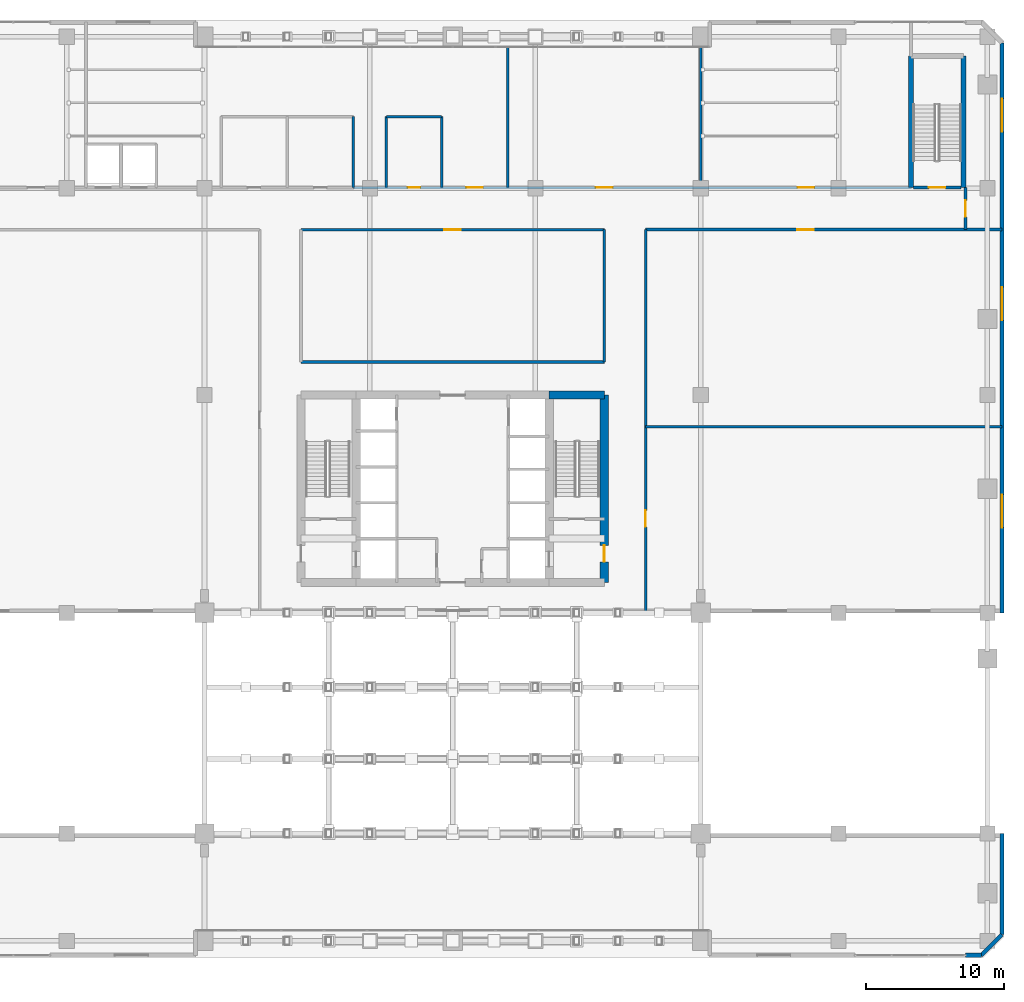
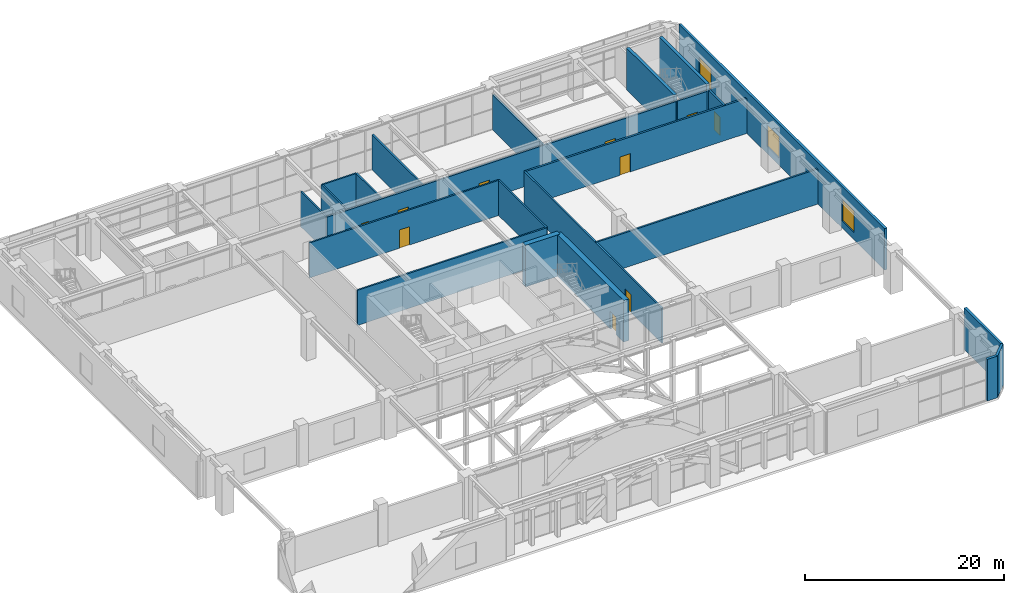
# One storey, part 28 of 32: 23 walls, 10 doors, 3 windows, 13 openings.
"""IFC4 building model written with IfcOpenShell, lengths in metres."""

import ifcopenshell
import ifcopenshell.guid

model = None  # the IFC model being written
_history = None  # IfcOwnerHistory: only IFC2X3 demands one
_inside = {}  # id of a spatial element -> (the spatial element, [elements in it])
_under = {}  # id of a project, library or spatial element -> (it, [spatial elements below it])
_declared = {}  # id of a project -> (the project, [libraries it declares])
_typed = {}  # id of a type object -> (the type object, [elements of that type])
_made_of = {}  # id of a material, layer set ... -> (it, [elements and type objects made of it])


def new_model(schema):
    """Start an empty IFC model of exactly this schema.

    Asked for "IFC4X3", IfcOpenShell would pick the latest addendum, in which some entities
    have other attributes; the version numbers below select the first issue.
    IFC2X3 requires an IfcOwnerHistory on every rooted entity: one is made here for all.
    """
    global model, _history
    if schema == "IFC4X3":
        model = ifcopenshell.file(schema_version=(4, 3, 0, 0))
    else:
        model = ifcopenshell.file(schema=schema)
    _inside.clear()
    _under.clear()
    _declared.clear()
    _typed.clear()
    _made_of.clear()
    _history = None
    if model.schema == "IFC2X3":
        org = make("IfcOrganization", Name="unknown")
        user = make(
            "IfcPersonAndOrganization",
            ThePerson=make("IfcPerson", FamilyName="unknown"),
            TheOrganization=org,
        )
        app = make(
            "IfcApplication",
            ApplicationDeveloper=org,
            Version="unknown",
            ApplicationFullName="unknown",
            ApplicationIdentifier="unknown",
        )
        _history = make(
            "IfcOwnerHistory",
            OwningUser=user,
            OwningApplication=app,
            ChangeAction="ADDED",
            CreationDate=0,
        )
    return model


def make(cls, **values):
    """One entity of the class cls with the attributes given. An attribute that is None is left unset."""
    return model.create_entity(
        cls, **{name: value for name, value in values.items() if value is not None}
    )


def rooted(cls, **values):
    """An entity with a GlobalId (a new one), such as an element, a storey or a relation."""
    return make(cls, GlobalId=ifcopenshell.guid.new(), OwnerHistory=_history, **values)


def si_unit(unit_type, name, prefix=None):
    """IfcSIUnit, for example si_unit("LENGTHUNIT", "METRE", prefix="MILLI")."""
    return make("IfcSIUnit", UnitType=unit_type, Prefix=prefix, Name=name)


def assignment(units):
    """IfcUnitAssignment: the units of a project."""
    return None if units is None else make("IfcUnitAssignment", Units=units)


def point(xyz):
    """IfcCartesianPoint."""
    return None if xyz is None else make("IfcCartesianPoint", Coordinates=xyz)


def direction(xyz):
    """IfcDirection."""
    return None if xyz is None else make("IfcDirection", DirectionRatios=xyz)


def frame(location, z_axis=None, x_axis=None):
    """IfcAxis2Placement3D, a coordinate frame: its origin and axes. An axis left out is left unset."""
    return make(
        "IfcAxis2Placement3D",
        Location=point(location),
        Axis=direction(z_axis),
        RefDirection=direction(x_axis),
    )


def frame_2d(location, x_axis=None):
    """IfcAxis2Placement2D, a coordinate frame in the plane: its origin and x axis."""
    return make(
        "IfcAxis2Placement2D", Location=point(location), RefDirection=direction(x_axis)
    )


def origin():
    """The frame at (0, 0, 0) with its axes left unset."""
    return frame((0.0, 0.0, 0.0))


def place(relative_to, where):
    """IfcLocalPlacement: puts the frame where relative to a parent placement (None: the world)."""
    return make(
        "IfcLocalPlacement", PlacementRelTo=relative_to, RelativePlacement=where
    )


def context(
    kind, dimensions, precision=None, world=None, true_north=None, identifier=None
):
    """IfcGeometricRepresentationContext, for example the 3D "Model" context."""
    return make(
        "IfcGeometricRepresentationContext",
        ContextIdentifier=identifier,
        ContextType=kind,
        CoordinateSpaceDimension=dimensions,
        Precision=precision,
        WorldCoordinateSystem=world,
        TrueNorth=true_north,
    )


def subcontext(parent, identifier, kind, view, scale=None):
    """IfcGeometricRepresentationSubContext, for example "Body" below "Model"."""
    return make(
        "IfcGeometricRepresentationSubContext",
        ContextIdentifier=identifier,
        ContextType=kind,
        ParentContext=parent,
        TargetScale=scale,
        TargetView=view,
    )


def project(units=None, contexts=None):
    """IfcProject with its units and contexts."""
    return rooted(
        "IfcProject",
        Name="project",
        RepresentationContexts=contexts,
        UnitsInContext=assignment(units),
    )


def spatial(cls, under=None, at=None, **own):
    """A site, building, storey or space (cls), placed at a placement, below another one or the project."""
    s = rooted(cls, ObjectPlacement=at, **own)
    if under is not None:
        _under.setdefault(under.id(), (under, []))[1].append(s)
    return s


def profile(cls, at=None, kind="AREA", **sizes):
    """A parametric profile (cls). Its sizes go by their IFC names, for example OverallWidth=200.0."""
    return make(cls, ProfileType=kind, Position=at, **sizes)


def rectangle(**sizes):
    """IfcRectangleProfileDef."""
    return profile("IfcRectangleProfileDef", **sizes)


def extrude(swept, where, along, depth):
    """IfcExtrudedAreaSolid: the profile swept, set in the frame where, extruded along a direction by depth."""
    return make(
        "IfcExtrudedAreaSolid",
        SweptArea=swept,
        Position=where,
        ExtrudedDirection=direction(along),
        Depth=depth,
    )


def shape(context_of_items, identifier, shape_type, items):
    """IfcShapeRepresentation: the items that make up one representation, for example the "Body"."""
    return make(
        "IfcShapeRepresentation",
        ContextOfItems=context_of_items,
        RepresentationIdentifier=identifier,
        RepresentationType=shape_type,
        Items=items,
    )


def material(Name=None, Category=None):
    """IfcMaterial."""
    return make("IfcMaterial", Name=Name, Category=Category)


def layer(
    of_material, thickness, ventilated=None, Name=None, Category=None, Priority=None
):
    """IfcMaterialLayer: one layer of a wall or slab, of a material (None: an air gap)."""
    return make(
        "IfcMaterialLayer",
        Material=of_material,
        LayerThickness=thickness,
        IsVentilated=ventilated,
        Name=Name,
        Category=Category,
        Priority=Priority,
    )


def layer_set(layers, Name=None):
    """IfcMaterialLayerSet."""
    return make("IfcMaterialLayerSet", MaterialLayers=layers, LayerSetName=Name)


def made_of(thing, what):
    """Note that an element or type object is made of a material, layer set ...; save() writes the relation."""
    if what is not None:
        _made_of.setdefault(what.id(), (what, []))[1].append(thing)
    return thing


def type_object(cls, material=None, **own):
    """A type object (cls), such as IfcWallType, which elements share."""
    return made_of(rooted(cls, **own), material)


def element(
    cls,
    number,
    at=None,
    inside=None,
    cuts=None,
    type_object=None,
    material=None,
    context=None,
    identifier="Body",
    shape_type=None,
    held_by="IfcProductDefinitionShape",
    body=None,
    shapes=None,
    **own,
):
    """One element of the class cls, such as IfcWall. Its Tag is "e" and its number.

    at: its placement. inside: the storey or other place that contains it. cuts: it is an
    opening in that element (IfcRelVoidsElement). A single representation is given by context,
    identifier, shape_type and body (its items); several are given by shapes. held_by: the class
    of the entity that holds the representations. save() writes the other relations.
    """
    e = rooted(cls, Tag="e%d" % number, ObjectPlacement=at, **own)
    if body is not None:
        shapes = [shape(context, identifier, shape_type, body)]
    if shapes is not None:
        e.Representation = make(held_by, Representations=shapes)
    if inside is not None:
        _inside.setdefault(inside.id(), (inside, []))[1].append(e)
    if cuts is not None:
        rooted(
            "IfcRelVoidsElement", RelatingBuildingElement=cuts, RelatedOpeningElement=e
        )
    if type_object is not None:
        _typed.setdefault(type_object.id(), (type_object, []))[1].append(e)
    return made_of(e, material)


def fill(opening, filler):
    """IfcRelFillsElement: the door or window that sits in an opening."""
    return rooted(
        "IfcRelFillsElement",
        RelatingOpeningElement=opening,
        RelatedBuildingElement=filler,
    )


def aggregate(whole, parts):
    """IfcRelAggregates: a whole, such as a stair, and the parts it consists of."""
    return rooted("IfcRelAggregates", RelatingObject=whole, RelatedObjects=parts)


def save(model, path):
    """Write the relations noted so far, then the file.

    IfcRelAggregates (storeys below a building ...), IfcRelContainedInSpatialStructure (elements
    in a storey), IfcRelDefinesByType, IfcRelAssociatesMaterial and IfcRelDeclares: one each for
    every whole, place, type object, material and project.
    """
    for whole, parts in _under.values():
        aggregate(whole, parts)
    for where, things in _inside.values():
        rooted(
            "IfcRelContainedInSpatialStructure",
            RelatedElements=things,
            RelatingStructure=where,
        )
    for kind, things in _typed.values():
        rooted("IfcRelDefinesByType", RelatedObjects=things, RelatingType=kind)
    for what, things in _made_of.values():
        rooted("IfcRelAssociatesMaterial", RelatedObjects=things, RelatingMaterial=what)
    for by, libraries in _declared.values():
        rooted("IfcRelDeclares", RelatingContext=by, RelatedDefinitions=libraries)
    model.write(path)


model = new_model("IFC4")

# Units and contexts
model_context = context("Model", 3, precision=1e-05, world=origin(), true_north=direction((0.0, 1.0)))
body_context = subcontext(model_context, "Body", "Model", "MODEL_VIEW")
ifc_project = project(units=[si_unit("LENGTHUNIT", "METRE"), si_unit("AREAUNIT", "SQUARE_METRE"), si_unit("VOLUMEUNIT", "CUBIC_METRE"), si_unit("PLANEANGLEUNIT", "RADIAN"), si_unit("MASSUNIT", "GRAM", prefix="KILO")], contexts=[model_context])

# Site, building, storey
site_placement = place(None, origin())
site = spatial("IfcSite", under=ifc_project, at=site_placement, CompositionType="ELEMENT")
building_placement = place(site_placement, origin())
building = spatial("IfcBuilding", under=site, at=building_placement, Name="Sarneth Arch Tower", CompositionType="ELEMENT")
storey_placement = place(building_placement, frame((0.0, 0.0, 11.39990234375)))
storey = spatial("IfcBuildingStorey", under=building, at=storey_placement, Name="L02", CompositionType="ELEMENT", Elevation=11.39990234375)

# Walls
ifc_material_1 = material(Name="Concrete C50/60", Category="concrete")
ifc_layer_1 = layer(ifc_material_1, 0.35009765625)
ifc_layer_set_1 = layer_set([ifc_layer_1], Name="Concrete C50/60")
wall_type_1 = type_object("IfcWallType", Name="WALL-CORE-350", PredefinedType="SHEAR", material=ifc_layer_set_1)
for number, where, z_axis, x_axis, name in (
    (1, (81.25, 63.85009765625, 0.0), (0.0, 0.0, 1.0), (0.0, 1.0, 0.0), "L02 Podium stair core wall STP2-W"),
    (2, (85.050048828125, 63.85009765625, 0.0), (0.0, 0.0, 1.0), (0.0, 1.0, 0.0), "L02 Podium stair core wall STP2-E"),
):
    element("IfcWall", number, at=place(storey_placement, frame(where, z_axis=z_axis, x_axis=x_axis)), inside=storey, type_object=wall_type_1, Name=name, PredefinedType="SHEAR", context=body_context, shape_type="SweptSolid", body=[
        extrude(rectangle(XDim=9.5498046875, YDim=0.35009765625, at=frame_2d((4.77490234375, 0.0))), origin(), (0.0, 0.0, 1.0), 5.10009765625),
    ])
ifc_material_2 = material(Name="Concrete C60/75", Category="concrete")
ifc_layer_2 = layer(ifc_material_2, 0.60009765625)
ifc_layer_set_2 = layer_set([ifc_layer_2], Name="Concrete C60/75")
wall_type_2 = type_object("IfcWallType", Name="WALL-CORE-600", PredefinedType="SHEAR", material=ifc_layer_set_2)
wall_1_placement = place(storey_placement, frame((55.0, 48.800048828125, 0.0), z_axis=(0.0, 0.0, 1.0), x_axis=(1.0, 0.0, 0.0)))
element("IfcWall", 3, at=wall_1_placement, inside=storey, type_object=wall_type_2, Name="L02 Core shear wall N-E", PredefinedType="SHEAR", context=body_context, shape_type="SweptSolid", body=[
    extrude(rectangle(XDim=4.0, YDim=0.60009765625, at=frame_2d((2.0, 0.0))), origin(), (0.0, 0.0, 1.0), 5.10009765625),
])

# Wall, opening, door
wall_2_placement = place(storey_placement, frame((59.0, 35.199951171875, 0.0), z_axis=(0.0, 0.0, 1.0), x_axis=(0.0, 1.0, 0.0)))
wall_2 = element("IfcWall", 4, at=wall_2_placement, inside=storey, type_object=wall_type_2, Name="L02 Core shear wall E", PredefinedType="SHEAR", context=body_context, shape_type="SweptSolid", body=[
    extrude(rectangle(XDim=13.60009765625, YDim=0.60009765625, at=frame_2d((6.800048828125, 0.0))), origin(), (0.0, 0.0, 1.0), 5.10009765625),
])
opening_1_placement = place(wall_2_placement, frame((1.5, 0.0, 0.0)))
opening_1 = element("IfcOpeningElement", 5, at=opening_1_placement, cuts=wall_2, Name="Opening FD-02", PredefinedType="OPENING", context=body_context, shape_type="SweptSolid", body=[
    extrude(rectangle(XDim=1.199951171875, YDim=2.14990234375, at=frame_2d((0.60009765625, 1.074951171875))), frame((0.0, 0.31005859375, 0.0), z_axis=(0.0, -1.0, 0.0), x_axis=(1.0, 0.0, 0.0)), (0.0, 0.0, 1.0), 0.6201171875),
])
ifc_material_3 = material(Name="Galvanised Steel S275 fire door set", Category="steel")
door_type_1 = type_object("IfcDoorType", Name="DR-FD90-1200", OperationType="SINGLE_SWING_LEFT", PredefinedType="DOOR", material=ifc_material_3)
door_1_placement = place(opening_1_placement, origin())
door_1 = element("IfcDoor", 6, at=door_1_placement, inside=storey, type_object=door_type_1, Name="L02 Firefighting lobby 2 exit door", OperationType="SINGLE_SWING_RIGHT", OverallHeight=2.14990234375, OverallWidth=1.199951171875, PredefinedType="DOOR", context=body_context, shape_type="SweptSolid", body=[
    extrude(rectangle(XDim=1.199951171875, YDim=2.14990234375, at=frame_2d((0.60009765625, 1.074951171875))), frame((0.0, 0.02490234375, 0.0), z_axis=(0.0, -1.0, 0.0), x_axis=(1.0, 0.0, 0.0)), (0.0, 0.0, 1.0), 0.050048828125),
])
fill(opening_1, door_1)

ifc_material_4 = material(Name="Double steel-stud corridor fire wall", Category="steel")
ifc_layer_3 = layer(ifc_material_4, 0.18994140625)
ifc_layer_set_3 = layer_set([ifc_layer_3], Name="Double steel-stud corridor fire wall")
wall_type_3 = type_object("IfcWallType", Name="WALL-CORR-190", PredefinedType="PARTITIONING", material=ifc_layer_set_3)
wall_3_placement = place(storey_placement, frame((59.0, 60.800048828125, 0.0), z_axis=(0.0, 0.0, 1.0), x_axis=(-1.0, 0.0, 0.0)))
wall_3 = element("IfcWall", 7, at=wall_3_placement, inside=storey, type_object=wall_type_3, Name="L02 Interior partition W-L02-TP-004", PredefinedType="PARTITIONING", context=body_context, shape_type="SweptSolid", body=[
    extrude(rectangle(XDim=22.0, YDim=0.18994140625, at=frame_2d((11.0, 0.0))), origin(), (0.0, 0.0, 1.0), 4.300048828125),
])
opening_2_placement = place(wall_3_placement, frame((10.39990234375, 0.0, 0.0)))
opening_2 = element("IfcOpeningElement", 8, at=opening_2_placement, cuts=wall_3, Name="Opening FD-06", PredefinedType="OPENING", context=body_context, shape_type="SweptSolid", body=[
    extrude(rectangle(XDim=1.199951171875, YDim=2.25, at=frame_2d((0.60009765625, 1.125))), frame((0.0, 0.10498046875, 0.0), z_axis=(0.0, -1.0, 0.0), x_axis=(1.0, 0.0, 0.0)), (0.0, 0.0, 1.0), 0.2099609375),
])
ifc_material_5 = material(Name="Hardwood timber acoustic fire door", Category="wood")
door_type_2 = type_object("IfcDoorType", Name="DR-FD60-1200", OperationType="SINGLE_SWING_LEFT", PredefinedType="DOOR", material=ifc_material_5)
door_2_placement = place(opening_2_placement, origin())
door_2 = element("IfcDoor", 9, at=door_2_placement, inside=storey, type_object=door_type_2, Name="L02 Interior door DR-L02-DIN", OperationType="SINGLE_SWING_LEFT", OverallHeight=2.25, OverallWidth=1.199951171875, PredefinedType="DOOR", context=body_context, shape_type="SweptSolid", body=[
    extrude(rectangle(XDim=1.199951171875, YDim=2.25, at=frame_2d((0.60009765625, 1.125))), frame((0.0, 0.02490234375, 0.0), z_axis=(0.0, -1.0, 0.0), x_axis=(1.0, 0.0, 0.0)), (0.0, 0.0, 1.0), 0.050048828125),
])
fill(opening_2, door_2)

# Wall
wall_4_placement = place(storey_placement, frame((37.0, 51.199951171875, 0.0), z_axis=(0.0, 0.0, 1.0), x_axis=(1.0, 0.0, 0.0)))
element("IfcWall", 10, at=wall_4_placement, inside=storey, type_object=wall_type_3, Name="L02 Interior partition W-L02-TP-006", PredefinedType="PARTITIONING", context=body_context, shape_type="SweptSolid", body=[
    extrude(rectangle(XDim=22.0, YDim=0.18994140625, at=frame_2d((11.0, 0.0))), origin(), (0.0, 0.0, 1.0), 4.300048828125),
])

# Wall, openings, doors
wall_5_placement = place(storey_placement, frame((40.76806640625, 63.85009765625, 0.0), z_axis=(0.0, 0.0, 1.0), x_axis=(1.0, 0.0, 0.0)))
wall_5 = element("IfcWall", 11, at=wall_5_placement, inside=storey, type_object=wall_type_3, Name="L02 Interior partition W-L02-TP-017", PredefinedType="PARTITIONING", context=body_context, shape_type="SweptSolid", body=[
    extrude(rectangle(XDim=40.513916015625, YDim=0.18994140625, at=frame_2d((20.2568359375, 0.0))), origin(), (0.0, 0.0, 1.0), 4.300048828125),
])
opening_3_placement = place(wall_5_placement, frame((32.257080078125, 0.0, 0.0)))
opening_3 = element("IfcOpeningElement", 12, at=opening_3_placement, cuts=wall_5, Name="Opening FD-06", PredefinedType="OPENING", context=body_context, shape_type="SweptSolid", body=[
    extrude(rectangle(XDim=1.199951171875, YDim=2.25, at=frame_2d((0.60009765625, 1.125))), frame((0.0, 0.10498046875, 0.0), z_axis=(0.0, -1.0, 0.0), x_axis=(1.0, 0.0, 0.0)), (0.0, 0.0, 1.0), 0.2099609375),
])
opening_4_placement = place(wall_5_placement, frame((17.632080078125, 0.0, 0.0)))
opening_4 = element("IfcOpeningElement", 13, at=opening_4_placement, cuts=wall_5, Name="Opening FD-06", PredefinedType="OPENING", context=body_context, shape_type="SweptSolid", body=[
    extrude(rectangle(XDim=1.199951171875, YDim=2.25, at=frame_2d((0.60009765625, 1.125))), frame((0.0, 0.10498046875, 0.0), z_axis=(0.0, -1.0, 0.0), x_axis=(1.0, 0.0, 0.0)), (0.0, 0.0, 1.0), 0.2099609375),
])
opening_5_placement = place(wall_5_placement, frame((8.23193359375, 0.0, 0.0)))
opening_5 = element("IfcOpeningElement", 14, at=opening_5_placement, cuts=wall_5, Name="Opening FD-06", PredefinedType="OPENING", context=body_context, shape_type="SweptSolid", body=[
    extrude(rectangle(XDim=1.199951171875, YDim=2.25, at=frame_2d((0.60009765625, 1.125))), frame((0.0, 0.10498046875, 0.0), z_axis=(0.0, -1.0, 0.0), x_axis=(1.0, 0.0, 0.0)), (0.0, 0.0, 1.0), 0.2099609375),
])
opening_6_placement = place(wall_5_placement, frame((3.98193359375, 0.0, 0.0)))
opening_6 = element("IfcOpeningElement", 15, at=opening_6_placement, cuts=wall_5, Name="Opening ID-01", PredefinedType="OPENING", context=body_context, shape_type="SweptSolid", body=[
    extrude(rectangle(XDim=0.89990234375, YDim=2.10009765625, at=frame_2d((0.449951171875, 1.050048828125))), frame((0.0, 0.10498046875, 0.0), z_axis=(0.0, -1.0, 0.0), x_axis=(1.0, 0.0, 0.0)), (0.0, 0.0, 1.0), 0.2099609375),
])
door_3_placement = place(opening_3_placement, origin())
door_3 = element("IfcDoor", 16, at=door_3_placement, inside=storey, type_object=door_type_2, Name="L02 Interior door DR-L02-OFF2", OperationType="SINGLE_SWING_LEFT", OverallHeight=2.25, OverallWidth=1.199951171875, PredefinedType="DOOR", context=body_context, shape_type="SweptSolid", body=[
    extrude(rectangle(XDim=1.199951171875, YDim=2.25, at=frame_2d((0.60009765625, 1.125))), frame((0.0, 0.02490234375, 0.0), z_axis=(0.0, -1.0, 0.0), x_axis=(1.0, 0.0, 0.0)), (0.0, 0.0, 1.0), 0.050048828125),
])
fill(opening_3, door_3)
door_4_placement = place(opening_4_placement, origin())
door_4 = element("IfcDoor", 17, at=door_4_placement, inside=storey, type_object=door_type_2, Name="L02 Interior door DR-L02-OFF1", OperationType="SINGLE_SWING_RIGHT", OverallHeight=2.25, OverallWidth=1.199951171875, PredefinedType="DOOR", context=body_context, shape_type="SweptSolid", body=[
    extrude(rectangle(XDim=1.199951171875, YDim=2.25, at=frame_2d((0.60009765625, 1.125))), frame((0.0, 0.02490234375, 0.0), z_axis=(0.0, -1.0, 0.0), x_axis=(1.0, 0.0, 0.0)), (0.0, 0.0, 1.0), 0.050048828125),
])
fill(opening_4, door_4)
door_5_placement = place(opening_5_placement, origin())
door_5 = element("IfcDoor", 18, at=door_5_placement, inside=storey, type_object=door_type_2, Name="L02 Interior door DR-L02-NSTR", OperationType="SINGLE_SWING_LEFT", OverallHeight=2.25, OverallWidth=1.199951171875, PredefinedType="DOOR", context=body_context, shape_type="SweptSolid", body=[
    extrude(rectangle(XDim=1.199951171875, YDim=2.25, at=frame_2d((0.60009765625, 1.125))), frame((0.0, 0.02490234375, 0.0), z_axis=(0.0, -1.0, 0.0), x_axis=(1.0, 0.0, 0.0)), (0.0, 0.0, 1.0), 0.050048828125),
])
fill(opening_5, door_5)
ifc_material_6 = material(Name="Engineered hardwood flush door", Category="wood")
door_type_3 = type_object("IfcDoorType", Name="DR-INT-900", OperationType="SINGLE_SWING_LEFT", PredefinedType="DOOR", material=ifc_material_6)
door_6_placement = place(opening_6_placement, origin())
door_6 = element("IfcDoor", 19, at=door_6_placement, inside=storey, type_object=door_type_3, Name="L02 Interior door DR-L02-WCA", OperationType="SINGLE_SWING_RIGHT", OverallHeight=2.10009765625, OverallWidth=0.89990234375, PredefinedType="DOOR", context=body_context, shape_type="SweptSolid", body=[
    extrude(rectangle(XDim=0.89990234375, YDim=2.10009765625, at=frame_2d((0.449951171875, 1.050048828125))), frame((0.0, 0.02490234375, 0.0), z_axis=(0.0, -1.0, 0.0), x_axis=(1.0, 0.0, 0.0)), (0.0, 0.0, 1.0), 0.050048828125),
])
fill(opening_6, door_6)

# Wall, opening, door
wall_6_placement = place(storey_placement, frame((62.0, 60.800048828125, 0.0), z_axis=(0.0, 0.0, 1.0), x_axis=(0.0, -1.0, 0.0)))
wall_6 = element("IfcWall", 20, at=wall_6_placement, inside=storey, type_object=wall_type_3, Name="L02 Interior partition W-L02-TP-009", PredefinedType="PARTITIONING", context=body_context, shape_type="SweptSolid", body=[
    extrude(rectangle(XDim=27.650146484375, YDim=0.18994140625, at=frame_2d((13.8251953125, 0.0))), origin(), (0.0, 0.0, 1.0), 4.300048828125),
])
opening_7_placement = place(wall_6_placement, frame((20.35888671875, 0.0, 0.0)))
opening_7 = element("IfcOpeningElement", 21, at=opening_7_placement, cuts=wall_6, Name="Opening FD-06", PredefinedType="OPENING", context=body_context, shape_type="SweptSolid", body=[
    extrude(rectangle(XDim=1.199951171875, YDim=2.25, at=frame_2d((0.60009765625, 1.125))), frame((0.0, 0.10498046875, 0.0), z_axis=(0.0, -1.0, 0.0), x_axis=(1.0, 0.0, 0.0)), (0.0, 0.0, 1.0), 0.2099609375),
])
door_7_placement = place(opening_7_placement, origin())
door_7 = element("IfcDoor", 22, at=door_7_placement, inside=storey, type_object=door_type_2, Name="L02 Interior door DR-L02-RET2", OperationType="SINGLE_SWING_LEFT", OverallHeight=2.25, OverallWidth=1.199951171875, PredefinedType="DOOR", context=body_context, shape_type="SweptSolid", body=[
    extrude(rectangle(XDim=1.199951171875, YDim=2.25, at=frame_2d((0.60009765625, 1.125))), frame((0.0, 0.02490234375, 0.0), z_axis=(0.0, -1.0, 0.0), x_axis=(1.0, 0.0, 0.0)), (0.0, 0.0, 1.0), 0.050048828125),
])
fill(opening_7, door_7)

# Wall
wall_7_placement = place(storey_placement, frame((59.0, 51.199951171875, 0.0), z_axis=(0.0, 0.0, 1.0), x_axis=(0.0, 1.0, 0.0)))
element("IfcWall", 23, at=wall_7_placement, inside=storey, type_object=wall_type_3, Name="L02 Interior partition W-L02-TP-003", PredefinedType="PARTITIONING", context=body_context, shape_type="SweptSolid", body=[
    extrude(rectangle(XDim=9.60009765625, YDim=0.18994140625, at=frame_2d((4.800048828125, 0.0))), origin(), (0.0, 0.0, 1.0), 4.300048828125),
])

# Wall, openings, windows
ifc_material_7 = material(Name="Extruded terracotta rainscreen on Concrete C40/50 backing", Category="masonry")
ifc_layer_4 = layer(ifc_material_7, 0.280029296875)
ifc_layer_set_4 = layer_set([ifc_layer_4], Name="Extruded terracotta rainscreen on Concrete C40/50 backing")
wall_type_4 = type_object("IfcWallType", Name="WALL-EXT-TERRA-280", PredefinedType="SOLIDWALL", material=ifc_layer_set_4)
wall_8_placement = place(storey_placement, frame((87.85009765625, 74.35009765625, 0.0), z_axis=(0.0, 0.0, 1.0), x_axis=(0.0, -1.0, 0.0)))
wall_8 = element("IfcWall", 24, at=wall_8_placement, inside=storey, type_object=wall_type_4, Name="L02 East podium north wall", PredefinedType="SOLIDWALL", context=body_context, shape_type="SweptSolid", body=[
    extrude(rectangle(XDim=41.35009765625, YDim=0.280029296875, at=frame_2d((20.675048828125, 0.0))), origin(), (0.0, 0.0, 1.0), 5.10009765625),
])
opening_8_placement = place(wall_8_placement, frame((4.050048828125, 0.0, 0.89990234375)))
opening_8 = element("IfcOpeningElement", 25, at=opening_8_placement, cuts=wall_8, Name="Opening W-02", PredefinedType="OPENING", context=body_context, shape_type="SweptSolid", body=[
    extrude(rectangle(XDim=2.39990234375, YDim=2.60009765625, at=frame_2d((1.199951171875, 1.300048828125))), frame((0.0, 0.14990234375, 0.0), z_axis=(0.0, -1.0, 0.0), x_axis=(1.0, 0.0, 0.0)), (0.0, 0.0, 1.0), 0.300048828125),
])
opening_9_placement = place(wall_8_placement, frame((17.72509765625, 0.0, 0.89990234375)))
opening_9 = element("IfcOpeningElement", 26, at=opening_9_placement, cuts=wall_8, Name="Opening W-02", PredefinedType="OPENING", context=body_context, shape_type="SweptSolid", body=[
    extrude(rectangle(XDim=2.39990234375, YDim=2.60009765625, at=frame_2d((1.199951171875, 1.300048828125))), frame((0.0, 0.14990234375, 0.0), z_axis=(0.0, -1.0, 0.0), x_axis=(1.0, 0.0, 0.0)), (0.0, 0.0, 1.0), 0.300048828125),
])
opening_10_placement = place(wall_8_placement, frame((32.77490234375, 0.0, 0.89990234375)))
opening_10 = element("IfcOpeningElement", 27, at=opening_10_placement, cuts=wall_8, Name="Opening W-02", PredefinedType="OPENING", context=body_context, shape_type="SweptSolid", body=[
    extrude(rectangle(XDim=2.39990234375, YDim=2.60009765625, at=frame_2d((1.199951171875, 1.300048828125))), frame((0.0, 0.14990234375, 0.0), z_axis=(0.0, -1.0, 0.0), x_axis=(1.0, 0.0, 0.0)), (0.0, 0.0, 1.0), 0.300048828125),
])
ifc_material_8 = material(Name="Thermally broken Aluminium 6063-T6 and low-e laminated IGU", Category="aluminium")
window_type = type_object("IfcWindowType", Name="WIN-POD-2400x2600", PartitioningType="DOUBLE_PANEL_VERTICAL", PredefinedType="WINDOW", material=ifc_material_8)
window_1_placement = place(opening_8_placement, origin())
window_1 = element("IfcWindow", 28, at=window_1_placement, inside=storey, type_object=window_type, Name="L02 East window 1", OverallHeight=2.60009765625, OverallWidth=2.39990234375, PartitioningType="SINGLE_PANEL", PredefinedType="WINDOW", context=body_context, shape_type="SweptSolid", body=[
    extrude(rectangle(XDim=2.39990234375, YDim=2.60009765625, at=frame_2d((1.199951171875, 1.300048828125))), frame((0.0, 0.030029296875, 0.0), z_axis=(0.0, -1.0, 0.0), x_axis=(1.0, 0.0, 0.0)), (0.0, 0.0, 1.0), 0.06005859375),
])
fill(opening_8, window_1)
window_2_placement = place(opening_9_placement, origin())
window_2 = element("IfcWindow", 29, at=window_2_placement, inside=storey, type_object=window_type, Name="L02 East window 2", OverallHeight=2.60009765625, OverallWidth=2.39990234375, PartitioningType="SINGLE_PANEL", PredefinedType="WINDOW", context=body_context, shape_type="SweptSolid", body=[
    extrude(rectangle(XDim=2.39990234375, YDim=2.60009765625, at=frame_2d((1.199951171875, 1.300048828125))), frame((0.0, 0.030029296875, 0.0), z_axis=(0.0, -1.0, 0.0), x_axis=(1.0, 0.0, 0.0)), (0.0, 0.0, 1.0), 0.06005859375),
])
fill(opening_9, window_2)
window_3_placement = place(opening_10_placement, origin())
window_3 = element("IfcWindow", 30, at=window_3_placement, inside=storey, type_object=window_type, Name="L02 East window 3", OverallHeight=2.60009765625, OverallWidth=2.39990234375, PartitioningType="SINGLE_PANEL", PredefinedType="WINDOW", context=body_context, shape_type="SweptSolid", body=[
    extrude(rectangle(XDim=2.39990234375, YDim=2.60009765625, at=frame_2d((1.199951171875, 1.300048828125))), frame((0.0, 0.030029296875, 0.0), z_axis=(0.0, -1.0, 0.0), x_axis=(1.0, 0.0, 0.0)), (0.0, 0.0, 1.0), 0.06005859375),
])
fill(opening_10, window_3)

# Walls
wall_9_placement = place(storey_placement, frame((87.85009765625, 9.64990234375, 0.0), z_axis=(0.0, 0.0, 1.0), x_axis=(0.0, 1.0, 0.0)))
element("IfcWall", 31, at=wall_9_placement, inside=storey, type_object=wall_type_4, Name="L02 East south wing wall", PredefinedType="SOLIDWALL", context=body_context, shape_type="SweptSolid", body=[
    extrude(rectangle(XDim=7.35009765625, YDim=0.280029296875, at=frame_2d((3.675048828125, 0.0))), origin(), (0.0, 0.0, 1.0), 5.10009765625),
])
wall_10_placement = place(storey_placement, frame((86.35009765625, 8.14990234375, 0.0), z_axis=(0.0, 0.0, 1.0), x_axis=(0.707106781187, 0.707106781187, 0.0)))
element("IfcWall", 32, at=wall_10_placement, inside=storey, type_object=wall_type_4, Name="L02 Podium chamfer terracotta wall SE", PredefinedType="SOLIDWALL", context=body_context, shape_type="SweptSolid", body=[
    extrude(rectangle(XDim=2.121337890625, YDim=0.280029296875, at=frame_2d((1.060546875, 0.0))), origin(), (0.0, 0.0, 1.0), 5.10009765625),
])
ifc_material_9 = material(Name="Extruded terracotta rainscreen on Concrete C40/50 backing", Category="masonry")
ifc_layer_5 = layer(ifc_material_9, 0.320068359375)
ifc_layer_set_5 = layer_set([ifc_layer_5], Name="Extruded terracotta rainscreen on Concrete C40/50 backing")
wall_type_5 = type_object("IfcWallType", Name="WALL-EXT-TERRA-320", PredefinedType="SOLIDWALL", material=ifc_layer_set_5)
wall_11_placement = place(storey_placement, frame((85.199951171875, 8.14990234375, 0.0), z_axis=(0.0, 0.0, 1.0), x_axis=(1.0, 0.0, 0.0)))
element("IfcWall", 33, at=wall_11_placement, inside=storey, type_object=wall_type_5, Name="L02 South-east pier", PredefinedType="SOLIDWALL", context=body_context, shape_type="SweptSolid", body=[
    extrude(rectangle(XDim=1.150146484375, YDim=0.320068359375, at=frame_2d((0.5751953125, 0.0))), origin(), (0.0, 0.0, 1.0), 5.10009765625),
])

# Wall, opening, door
ifc_material_10 = material(Name="Aerated concrete blockwork C25/30", Category="masonry")
ifc_layer_6 = layer(ifc_material_10, 0.219970703125)
ifc_layer_set_6 = layer_set([ifc_layer_6], Name="Aerated concrete blockwork C25/30")
wall_type_6 = type_object("IfcWallType", Name="WALL-FIRE-220", PredefinedType="SOLIDWALL", material=ifc_layer_set_6)
wall_12_placement = place(storey_placement, frame((87.85009765625, 60.800048828125, 0.0), z_axis=(0.0, 0.0, 1.0), x_axis=(-1.0, 0.0, 0.0)))
wall_12 = element("IfcWall", 34, at=wall_12_placement, inside=storey, type_object=wall_type_6, Name="L02 Interior partition W-L02-TP-008", PredefinedType="SOLIDWALL", context=body_context, shape_type="SweptSolid", body=[
    extrude(rectangle(XDim=25.85009765625, YDim=0.219970703125, at=frame_2d((12.925048828125, 0.0))), origin(), (0.0, 0.0, 1.0), 4.300048828125),
])
opening_11_placement = place(wall_12_placement, frame((13.64990234375, 0.0, 0.0)))
opening_11 = element("IfcOpeningElement", 35, at=opening_11_placement, cuts=wall_12, Name="Opening FD-06", PredefinedType="OPENING", context=body_context, shape_type="SweptSolid", body=[
    extrude(rectangle(XDim=1.199951171875, YDim=2.25, at=frame_2d((0.60009765625, 1.125))), frame((0.0, 0.119873046875, 0.0), z_axis=(0.0, -1.0, 0.0), x_axis=(1.0, 0.0, 0.0)), (0.0, 0.0, 1.0), 0.239990234375),
])
door_8_placement = place(opening_11_placement, origin())
door_8 = element("IfcDoor", 36, at=door_8_placement, inside=storey, type_object=door_type_2, Name="L02 Interior door DR-L02-RET3", OperationType="SINGLE_SWING_RIGHT", OverallHeight=2.25, OverallWidth=1.199951171875, PredefinedType="DOOR", context=body_context, shape_type="SweptSolid", body=[
    extrude(rectangle(XDim=1.199951171875, YDim=2.25, at=frame_2d((0.60009765625, 1.125))), frame((0.0, 0.02490234375, 0.0), z_axis=(0.0, -1.0, 0.0), x_axis=(1.0, 0.0, 0.0)), (0.0, 0.0, 1.0), 0.050048828125),
])
fill(opening_11, door_8)

wall_13_placement = place(storey_placement, frame((85.199951171875, 63.85009765625, 0.0), z_axis=(0.0, 0.0, 1.0), x_axis=(0.0, -1.0, 0.0)))
wall_13 = element("IfcWall", 37, at=wall_13_placement, inside=storey, type_object=wall_type_6, Name="L02 Interior partition W-L02-TP-021", PredefinedType="SOLIDWALL", context=body_context, shape_type="SweptSolid", body=[
    extrude(rectangle(XDim=3.050048828125, YDim=0.219970703125, at=frame_2d((1.52490234375, 0.0))), origin(), (0.0, 0.0, 1.0), 4.300048828125),
])
opening_12_placement = place(wall_13_placement, frame((0.925048828125, 0.0, 0.0)))
opening_12 = element("IfcOpeningElement", 38, at=opening_12_placement, cuts=wall_13, Name="Opening FD-06", PredefinedType="OPENING", context=body_context, shape_type="SweptSolid", body=[
    extrude(rectangle(XDim=1.199951171875, YDim=2.25, at=frame_2d((0.60009765625, 1.125))), frame((0.0, 0.119873046875, 0.0), z_axis=(0.0, -1.0, 0.0), x_axis=(1.0, 0.0, 0.0)), (0.0, 0.0, 1.0), 0.239990234375),
])
door_9_placement = place(opening_12_placement, origin())
door_9 = element("IfcDoor", 39, at=door_9_placement, inside=storey, type_object=door_type_2, Name="L02 Interior door DR-L02-CLSE", OperationType="SINGLE_SWING_LEFT", OverallHeight=2.25, OverallWidth=1.199951171875, PredefinedType="DOOR", context=body_context, shape_type="SweptSolid", body=[
    extrude(rectangle(XDim=1.199951171875, YDim=2.25, at=frame_2d((0.60009765625, 1.125))), frame((0.0, 0.02490234375, 0.0), z_axis=(0.0, -1.0, 0.0), x_axis=(1.0, 0.0, 0.0)), (0.0, 0.0, 1.0), 0.050048828125),
])
fill(opening_12, door_9)

# Walls
ifc_material_11 = material(Name="Moisture-resistant plumbing chase wall", Category="gypsum")
ifc_layer_7 = layer(ifc_material_11, 0.179931640625)
ifc_layer_set_7 = layer_set([ifc_layer_7], Name="Moisture-resistant plumbing chase wall")
wall_type_7 = type_object("IfcWallType", Name="WALL-PLUMB-180", PredefinedType="PLUMBINGWALL", material=ifc_layer_set_7)
for number, where, z_axis, x_axis, name in (
    (40, (40.800048828125, 69.0, 0.0), (0.0, 0.0, 1.0), (0.0, -1.0, 0.0), "L02 Interior partition W-L02-TP-029"),
    (41, (43.199951171875, 63.85009765625, 0.0), (0.0, 0.0, 1.0), (0.0, 1.0, 0.0), "L02 Interior partition W-L02-TP-030"),
    (42, (47.199951171875, 69.0, 0.0), (0.0, 0.0, 1.0), (0.0, -1.0, 0.0), "L02 Interior partition W-L02-TP-032"),
):
    element("IfcWall", number, at=place(storey_placement, frame(where, z_axis=z_axis, x_axis=x_axis)), inside=storey, type_object=wall_type_7, Name=name, PredefinedType="PLUMBINGWALL", context=body_context, shape_type="SweptSolid", body=[
        extrude(rectangle(XDim=5.14990234375, YDim=0.179931640625, at=frame_2d((2.574951171875, 0.0))), origin(), (0.0, 0.0, 1.0), 4.300048828125),
    ])
wall_14_placement = place(storey_placement, frame((43.199951171875, 69.0, 0.0), z_axis=(0.0, 0.0, 1.0), x_axis=(1.0, 0.0, 0.0)))
element("IfcWall", 43, at=wall_14_placement, inside=storey, type_object=wall_type_7, Name="L02 Interior partition W-L02-TP-031", PredefinedType="PLUMBINGWALL", context=body_context, shape_type="SweptSolid", body=[
    extrude(rectangle(XDim=4.0, YDim=0.179931640625, at=frame_2d((2.0, 0.0))), origin(), (0.0, 0.0, 1.0), 4.300048828125),
])

# Wall, opening, door
ifc_material_12 = material(Name="Aerated concrete blockwork C25/30", Category="masonry")
ifc_layer_8 = layer(ifc_material_12, 0.199951171875)
ifc_layer_set_8 = layer_set([ifc_layer_8], Name="Aerated concrete blockwork C25/30")
wall_type_8 = type_object("IfcWallType", Name="WALL-SHAFT-200", PredefinedType="SOLIDWALL", material=ifc_layer_set_8)
wall_15_placement = place(storey_placement, frame((81.429931640625, 63.85009765625, 0.0), z_axis=(0.0, 0.0, 1.0), x_axis=(1.0, 0.0, 0.0)))
wall_15 = element("IfcWall", 44, at=wall_15_placement, inside=storey, type_object=wall_type_8, Name="L02 Interior partition W-L02-STP2-S", PredefinedType="SOLIDWALL", context=body_context, shape_type="SweptSolid", body=[
    extrude(rectangle(XDim=3.440185546875, YDim=0.199951171875, at=frame_2d((1.72021484375, 0.0))), origin(), (0.0, 0.0, 1.0), 4.300048828125),
])
opening_13_placement = place(wall_15_placement, frame((1.1201171875, 0.0, 0.0)))
opening_13 = element("IfcOpeningElement", 45, at=opening_13_placement, cuts=wall_15, Name="Opening FD-02", PredefinedType="OPENING", context=body_context, shape_type="SweptSolid", body=[
    extrude(rectangle(XDim=1.199951171875, YDim=2.14990234375, at=frame_2d((0.60009765625, 1.074951171875))), frame((0.0, 0.10986328125, 0.0), z_axis=(0.0, -1.0, 0.0), x_axis=(1.0, 0.0, 0.0)), (0.0, 0.0, 1.0), 0.219970703125),
])
door_10_placement = place(opening_13_placement, origin())
door_10 = element("IfcDoor", 46, at=door_10_placement, inside=storey, type_object=door_type_1, Name="L02 Interior door DR-L02-STP2", OperationType="SINGLE_SWING_RIGHT", OverallHeight=2.14990234375, OverallWidth=1.199951171875, PredefinedType="DOOR", context=body_context, shape_type="SweptSolid", body=[
    extrude(rectangle(XDim=1.199951171875, YDim=2.14990234375, at=frame_2d((0.60009765625, 1.074951171875))), frame((0.0, 0.02490234375, 0.0), z_axis=(0.0, -1.0, 0.0), x_axis=(1.0, 0.0, 0.0)), (0.0, 0.0, 1.0), 0.050048828125),
])
fill(opening_13, door_10)

# Walls
ifc_material_13 = material(Name="Double steel-stud acoustic drywall", Category="steel")
ifc_layer_9 = layer(ifc_material_13, 0.199951171875)
ifc_layer_set_9 = layer_set([ifc_layer_9], Name="Double steel-stud acoustic drywall")
wall_type_9 = type_object("IfcWallType", Name="WALL-UNIT-200", PredefinedType="PARTITIONING", material=ifc_layer_set_9)
wall_16_placement = place(storey_placement, frame((62.0, 46.5, 0.0), z_axis=(0.0, 0.0, 1.0), x_axis=(1.0, 0.0, 0.0)))
element("IfcWall", 47, at=wall_16_placement, inside=storey, type_object=wall_type_9, Name="L02 Interior partition W-L02-TP-023", PredefinedType="PARTITIONING", context=body_context, shape_type="SweptSolid", body=[
    extrude(rectangle(XDim=25.85009765625, YDim=0.199951171875, at=frame_2d((12.925048828125, 0.0))), origin(), (0.0, 0.0, 1.0), 4.300048828125),
])
for number, where, z_axis, x_axis, name in (
    (48, (52.0, 74.050048828125, 0.0), (0.0, 0.0, 1.0), (0.0, -1.0, 0.0), "L02 Interior partition W-L02-TP-033"),
    (49, (66.0, 74.050048828125, 0.0), (0.0, 0.0, 1.0), (0.0, -1.0, 0.0), "L02 Interior partition W-L02-TP-035"),
):
    element("IfcWall", number, at=place(storey_placement, frame(where, z_axis=z_axis, x_axis=x_axis)), inside=storey, type_object=wall_type_9, Name=name, PredefinedType="PARTITIONING", context=body_context, shape_type="SweptSolid", body=[
        extrude(rectangle(XDim=10.199951171875, YDim=0.199951171875, at=frame_2d((5.10009765625, 0.0))), origin(), (0.0, 0.0, 1.0), 4.300048828125),
    ])

save(model, "model.ifc")
